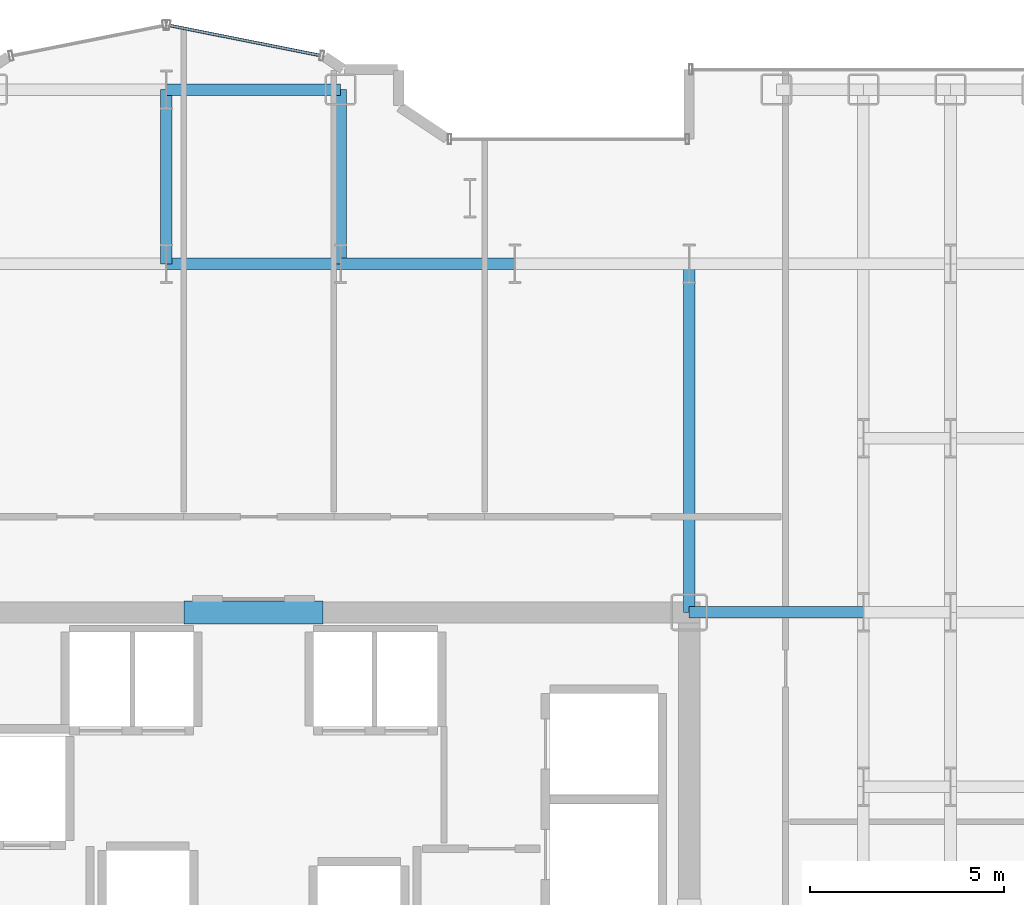
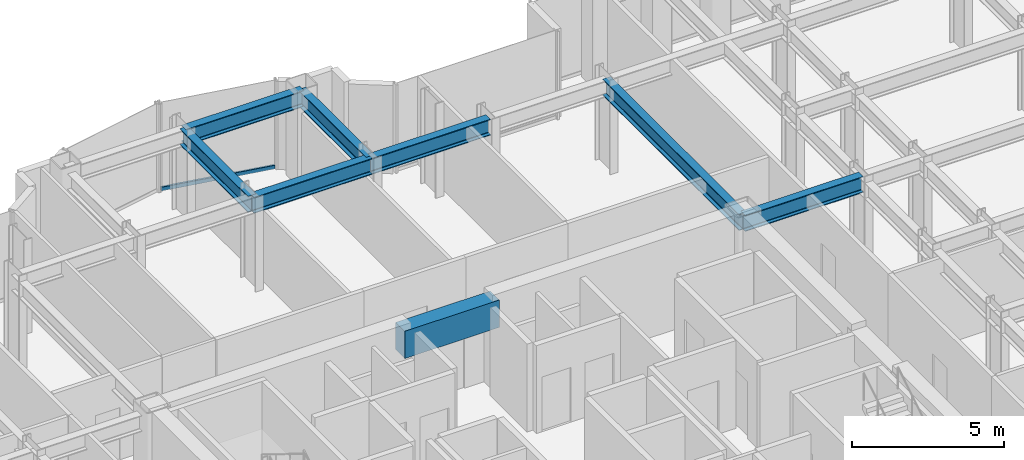
# One storey, part 11 of 25: 8 beams, 1 member, 1 element without a shape of its own.
"""IFC4 building model written with IfcOpenShell, lengths in metres."""

from ifc_helpers import new_model, si_unit, direction, frame, origin, origin_2d, place, context, subcontext, project, spatial, rectangle, hollow_rectangle, i_section, extrude, source, transform, mapped, material, layer, layer_set, material_profile, profile_set, type_object, element, aggregate, save


model = new_model("IFC4")

# Units and contexts
model_context = context("Model", 3, precision=1e-05, world=origin(), true_north=direction((0.0, 1.0)))
body_context = subcontext(model_context, "Body", "Model", "MODEL_VIEW")
ifc_project = project(units=[si_unit("LENGTHUNIT", "METRE"), si_unit("AREAUNIT", "SQUARE_METRE"), si_unit("VOLUMEUNIT", "CUBIC_METRE"), si_unit("PLANEANGLEUNIT", "RADIAN"), si_unit("MASSUNIT", "GRAM", prefix="KILO")], contexts=[model_context])

# Site, building, storey
site_placement = place(None, origin())
site = spatial("IfcSite", under=ifc_project, at=site_placement, CompositionType="ELEMENT")
building_placement = place(site_placement, origin())
building = spatial("IfcBuilding", under=site, at=building_placement, Name="Nefas-Gora Pilgrimage Tower", CompositionType="ELEMENT")
storey_placement = place(building_placement, frame((0.0, 0.0, 109.800048828125)))
storey = spatial("IfcBuildingStorey", under=building, at=storey_placement, Name="L26", CompositionType="ELEMENT", Elevation=109.800048828125)

# Beams
ifc_material_1 = material(Name="Concrete C60/75", Category="concrete")
ifc_material_profile_1 = material_profile(ifc_material_1, rectangle(XDim=0.60009765625, YDim=1.10009765625, at=origin_2d()), Name="RC 600x1100")
ifc_profile_set_1 = profile_set([ifc_material_profile_1], Name="Concrete C60/75")
beam_type_1 = type_object("IfcBeamType", Name="BM-LIN-RC1100", PredefinedType="LINTEL", material=ifc_profile_set_1)
shared_shape_1 = source(origin(), body_context, "Body", "SweptSolid", [
    extrude(rectangle(XDim=0.60009765625, YDim=1.10009765625, at=origin_2d()), origin(), (0.0, 0.0, 1.0), 3.60009765625),
])
beam_1_placement = place(storey_placement, frame((-1.800048828125, 9.0, 3.0), z_axis=(1.0, 0.0, 0.0), x_axis=(0.0, 1.0, 0.0)))
element("IfcBeam", 1, at=beam_1_placement, inside=storey, type_object=beam_type_1, Name="L26 Core Coupling Lintel Beam N", PredefinedType="LINTEL", context=body_context, shape_type="MappedRepresentation", body=[
    mapped(shared_shape_1, transform((0.0, 0.0, 0.0), x_axis=(1.0, 0.0, 0.0), y_axis=(0.0, 1.0, 0.0), z_axis=(0.0, 0.0, 1.0), scale=1.0)),
])
ifc_material_2 = material(Name="Steel S355", Category="steel")
ifc_material_profile_2 = material_profile(ifc_material_2, i_section(OverallWidth=0.300048828125, OverallDepth=0.64990234375, WebThickness=0.01611328125, FlangeThickness=0.031005859375, FilletRadius=0.027099609375, at=origin_2d()), Name="HEB 650")
ifc_profile_set_2 = profile_set([ifc_material_profile_2], Name="Steel S355")
beam_type_2 = type_object("IfcBeamType", Name="BM-GIR-HEB650", PredefinedType="BEAM", material=ifc_profile_set_2)
shared_shape_2 = source(origin(), body_context, "Body", "SweptSolid", [
    extrude(i_section(OverallWidth=0.300048828125, OverallDepth=0.64990234375, WebThickness=0.01611328125, FlangeThickness=0.031005859375, FilletRadius=0.027099609375, at=origin_2d()), origin(), (0.0, 0.0, 1.0), 9.0),
])
beam_2_placement = place(storey_placement, frame((11.25, 9.0, 3.224853515625), z_axis=(0.0, 1.0, 0.0), x_axis=(-1.0, 0.0, 0.0)))
element("IfcBeam", 2, at=beam_2_placement, inside=storey, type_object=beam_type_2, Name="L26 G-03 beam", PredefinedType="BEAM", context=body_context, shape_type="MappedRepresentation", body=[
    mapped(shared_shape_2, transform((0.0, 0.0, 0.0), x_axis=(1.0, 0.0, 0.0), y_axis=(0.0, 1.0, 0.0), z_axis=(0.0, 0.0, 1.0), scale=1.0)),
])
shared_shape_3 = source(origin(), body_context, "Body", "SweptSolid", [
    extrude(i_section(OverallWidth=0.300048828125, OverallDepth=0.64990234375, WebThickness=0.01611328125, FlangeThickness=0.031005859375, FilletRadius=0.027099609375, at=origin_2d()), origin(), (0.0, 0.0, 1.0), 4.5),
])
for number, where, z_axis, x_axis, name in (
    (3, (-2.25, 18.0, 3.224853515625), (0.0, 1.0, 0.0), (-1.0, 0.0, 0.0), "L26 G-03 beam"),
    (4, (-2.25, 18.0, 3.224853515625), (1.0, 0.0, 0.0), (0.0, 1.0, 0.0), "L26 G-03 beam"),
    (5, (-2.25, 22.5, 3.224853515625), (1.0, 0.0, 0.0), (0.0, 1.0, 0.0), "L26 G-03 beam"),
    (6, (2.25, 18.0, 3.224853515625), (0.0, 1.0, 0.0), (-1.0, 0.0, 0.0), "L26 G-03 beam"),
    (7, (2.25, 18.0, 3.224853515625), (1.0, 0.0, 0.0), (0.0, 1.0, 0.0), "L26 G-03 beam"),
    (8, (11.25, 9.0, 3.224853515625), (1.0, 0.0, 0.0), (0.0, 1.0, 0.0), "L26 G-03 beam"),
):
    element("IfcBeam", number, at=place(storey_placement, frame(where, z_axis=z_axis, x_axis=x_axis)), inside=storey, type_object=beam_type_2, Name=name, PredefinedType="BEAM", context=body_context, shape_type="MappedRepresentation", body=[
        mapped(shared_shape_3, transform((0.0, 0.0, 0.0), x_axis=(1.0, 0.0, 0.0), y_axis=(0.0, 1.0, 0.0), z_axis=(0.0, 0.0, 1.0), scale=1.0)),
    ])

# Curtain wall, member
ifc_material_3 = material(Name="Dark ceramic-fritted solar-control aluminium-glass curtain wall", Category="aluminium")
ifc_layer = layer(ifc_material_3, 0.219970703125)
ifc_layer_set = layer_set([ifc_layer], Name="Dark ceramic-fritted solar-control aluminium-glass curtain wall")
curtain_wall_type = type_object("IfcCurtainWallType", Name="CW-SYS-5", PredefinedType="NOTDEFINED", material=ifc_layer_set)
curtain_wall_placement = place(storey_placement, origin())
curtain_wall = element("IfcCurtainWall", 9, at=curtain_wall_placement, inside=storey, type_object=curtain_wall_type, Name="L26 Unitised Curtain Wall CW5", PredefinedType="NOTDEFINED")
ifc_material_4 = material(Name="Anodised architectural aluminium", Category="aluminium")
ifc_material_profile_3 = material_profile(ifc_material_4, hollow_rectangle(XDim=0.080078125, YDim=0.159912109375, WallThickness=0.00439453125, InnerFilletRadius=0.00439453125, OuterFilletRadius=0.009033203125, at=origin_2d()), Name="ALU TRANSOM 80x160")
ifc_profile_set_3 = profile_set([ifc_material_profile_3], Name="Anodised architectural aluminium")
member_type = type_object("IfcMemberType", Name="CWM-TRN-5", PredefinedType="USERDEFINED", material=ifc_profile_set_3)
shared_shape_4 = source(origin(), body_context, "Body", "SweptSolid", [
    extrude(hollow_rectangle(XDim=0.080078125, YDim=0.159912109375, WallThickness=0.00439453125, InnerFilletRadius=0.00439453125, OuterFilletRadius=0.009033203125, at=origin_2d()), origin(), (0.0, 0.0, 1.0), 3.95654296875),
])
member_placement = place(storey_placement, frame((1.718994140625, 23.3828125, 0.050048828125), z_axis=(-0.980781880918, 0.195107411605, 0.0), x_axis=(-0.195107411605, -0.980781880918, 0.0)))
member = element("IfcMember", 10, at=member_placement, type_object=member_type, Name="CW5 Spandrel Transom", ObjectType="TRANSOM", PredefinedType="USERDEFINED", context=body_context, shape_type="MappedRepresentation", body=[
    mapped(shared_shape_4, transform((0.0, 0.0, 0.0), x_axis=(1.0, 0.0, 0.0), y_axis=(0.0, 1.0, 0.0), z_axis=(0.0, 0.0, 1.0), scale=1.0)),
])
aggregate(curtain_wall, [member])

save(model, "model.ifc")
